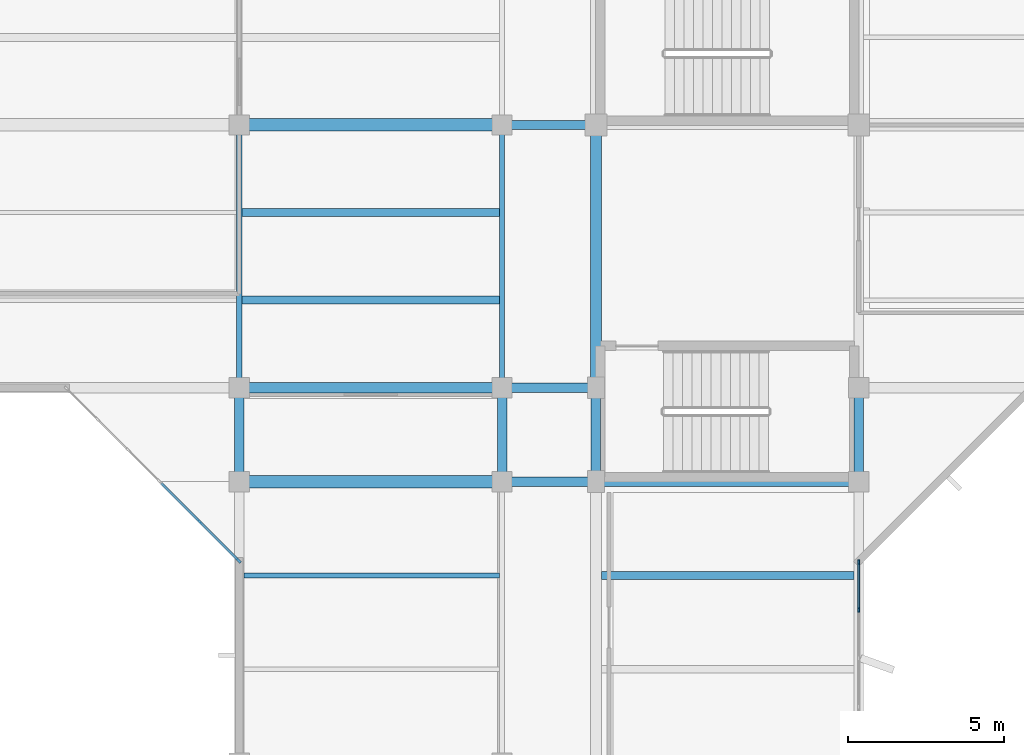
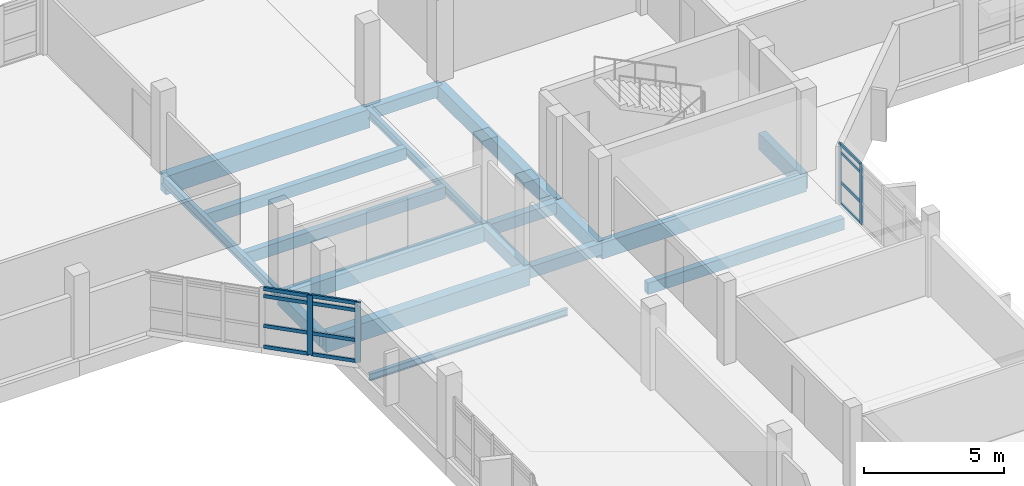
# One storey, part 37 of 104: 18 beams, 16 members, 2 elements without a shape of their own.
"""IFC4 building model written with IfcOpenShell, lengths in metres."""

from ifc_helpers import new_model, si_unit, direction, frame, origin, origin_2d, place, context, subcontext, project, spatial, rectangle, i_section, extrude, material, material_profile, profile_set, type_object, element, aggregate, save


model = new_model("IFC4")

# Units and contexts
model_context = context("Model", 3, precision=1e-05, world=origin(), true_north=direction((0.0, 1.0)))
body_context = subcontext(model_context, "Body", "Model", "MODEL_VIEW")
ifc_project = project(units=[si_unit("LENGTHUNIT", "METRE"), si_unit("AREAUNIT", "SQUARE_METRE"), si_unit("VOLUMEUNIT", "CUBIC_METRE"), si_unit("PLANEANGLEUNIT", "RADIAN"), si_unit("MASSUNIT", "GRAM", prefix="KILO")], contexts=[model_context])

# Site, building, storey
site_placement = place(None, origin())
site = spatial("IfcSite", under=ifc_project, at=site_placement, CompositionType="ELEMENT")
building_placement = place(site_placement, origin())
building = spatial("IfcBuilding", under=site, at=building_placement, Name="Vanh Quang Courtyard School", CompositionType="ELEMENT")
storey_placement = place(building_placement, frame((0.0, 0.0, 4.199951171875)))
storey = spatial("IfcBuildingStorey", under=building, at=storey_placement, Name="L01", CompositionType="ELEMENT", Elevation=4.199951171875)

# Beams
ifc_material_1 = material(Name="Concrete C35/45", Category="concrete")
ifc_material_profile_1 = material_profile(ifc_material_1, rectangle(XDim=0.300048828125, YDim=0.5, at=origin_2d()), Name="RC-BM 300x500")
ifc_profile_set_1 = profile_set([ifc_material_profile_1], Name="Concrete C35/45")
beam_type_1 = type_object("IfcBeamType", Name="BM-RC-300x500", PredefinedType="BEAM", material=ifc_profile_set_1)
for number, where, z_axis, x_axis, name in (
    (1, (74.39990234375, 68.39990234375, -0.530029296875), (1.0, 0.0, 0.0), (0.0, 1.0, 0.0), "Beam B-08 (L01)"),
    (2, (74.39990234375, 71.39990234375, -0.530029296875), (1.0, 0.0, 0.0), (0.0, 1.0, 0.0), "Beam B-08 (L01)"),
    (3, (74.39990234375, 79.800048828125, -0.530029296875), (1.0, 0.0, 0.0), (0.0, 1.0, 0.0), "Beam B-08 (L01)"),
):
    element("IfcBeam", number, at=place(storey_placement, frame(where, z_axis=z_axis, x_axis=x_axis)), inside=storey, type_object=beam_type_1, Name=name, PredefinedType="BEAM", context=body_context, shape_type="SweptSolid", body=[
        extrude(rectangle(XDim=0.300048828125, YDim=0.5, at=origin_2d()), origin(), (0.0, 0.0, 1.0), 3.0),
    ])
ifc_material_profile_2 = material_profile(ifc_material_1, rectangle(XDim=0.300048828125, YDim=0.550048828125, at=origin_2d()), Name="RC-BM 300x550")
ifc_profile_set_2 = profile_set([ifc_material_profile_2], Name="Concrete C35/45")
beam_type_2 = type_object("IfcBeamType", Name="BM-RC-300x550", PredefinedType="BEAM", material=ifc_profile_set_2)
for number, where, z_axis, x_axis, name in (
    (4, (66.0, 68.39990234375, -0.554931640625), (0.0, 1.0, 0.0), (-1.0, 0.0, 0.0), "Beam B-07 (L01)"),
    (5, (74.39990234375, 68.39990234375, -0.554931640625), (0.0, 1.0, 0.0), (-1.0, 0.0, 0.0), "Beam B-07 (L01)"),
):
    element("IfcBeam", number, at=place(storey_placement, frame(where, z_axis=z_axis, x_axis=x_axis)), inside=storey, type_object=beam_type_2, Name=name, PredefinedType="BEAM", context=body_context, shape_type="SweptSolid", body=[
        extrude(rectangle(XDim=0.300048828125, YDim=0.550048828125, at=origin_2d()), origin(), (0.0, 0.0, 1.0), 3.0),
    ])
ifc_material_profile_3 = material_profile(ifc_material_1, rectangle(XDim=0.35009765625, YDim=0.64990234375, at=origin_2d()), Name="RC-BM 350x650")
ifc_profile_set_3 = profile_set([ifc_material_profile_3], Name="Concrete C35/45")
beam_type_3 = type_object("IfcBeamType", Name="BM-RC-350x650", PredefinedType="BEAM", material=ifc_profile_set_3)
beam_1_placement = place(storey_placement, frame((66.0, 71.39990234375, -0.60498046875), z_axis=(1.0, 0.0, 0.0), x_axis=(0.0, 1.0, 0.0)))
element("IfcBeam", 6, at=beam_1_placement, inside=storey, type_object=beam_type_3, Name="Beam B-05 (L01)", PredefinedType="BEAM", context=body_context, shape_type="SweptSolid", body=[
    extrude(rectangle(XDim=0.35009765625, YDim=0.64990234375, at=origin_2d()), origin(), (0.0, 0.0, 1.0), 8.39990234375),
])
beam_2_placement = place(storey_placement, frame((77.39990234375, 71.39990234375, -0.60498046875), z_axis=(0.0, 1.0, 0.0), x_axis=(-1.0, 0.0, 0.0)))
element("IfcBeam", 7, at=beam_2_placement, inside=storey, type_object=beam_type_3, Name="Beam B-05 (L01)", PredefinedType="BEAM", context=body_context, shape_type="SweptSolid", body=[
    extrude(rectangle(XDim=0.35009765625, YDim=0.64990234375, at=origin_2d()), origin(), (0.0, 0.0, 1.0), 8.400146484375),
])
ifc_material_profile_4 = material_profile(ifc_material_1, rectangle(XDim=0.39990234375, YDim=0.75, at=origin_2d()), Name="RC-BM 400x750")
ifc_profile_set_4 = profile_set([ifc_material_profile_4], Name="Concrete C35/45")
beam_type_4 = type_object("IfcBeamType", Name="BM-RC-400x750", PredefinedType="BEAM", material=ifc_profile_set_4)
beam_3_placement = place(storey_placement, frame((66.0, 68.39990234375, -0.655029296875), z_axis=(1.0, 0.0, 0.0), x_axis=(0.0, 1.0, 0.0)))
element("IfcBeam", 8, at=beam_3_placement, inside=storey, type_object=beam_type_4, Name="Beam B-03 (L01)", PredefinedType="BEAM", context=body_context, shape_type="SweptSolid", body=[
    extrude(rectangle(XDim=0.39990234375, YDim=0.75, at=origin_2d()), origin(), (0.0, 0.0, 1.0), 8.39990234375),
])
ifc_material_profile_5 = material_profile(ifc_material_1, rectangle(XDim=0.39990234375, YDim=0.800048828125, at=origin_2d()), Name="RC-BM 400x800")
ifc_profile_set_5 = profile_set([ifc_material_profile_5], Name="Concrete C35/45")
beam_type_5 = type_object("IfcBeamType", Name="BM-RC-400x800", PredefinedType="BEAM", material=ifc_profile_set_5)
beam_4_placement = place(storey_placement, frame((66.0, 79.800048828125, -0.679931640625), z_axis=(1.0, 0.0, 0.0), x_axis=(0.0, 1.0, 0.0)))
element("IfcBeam", 9, at=beam_4_placement, inside=storey, type_object=beam_type_5, Name="Beam B-02 (L01)", PredefinedType="BEAM", context=body_context, shape_type="SweptSolid", body=[
    extrude(rectangle(XDim=0.39990234375, YDim=0.800048828125, at=origin_2d()), origin(), (0.0, 0.0, 1.0), 8.39990234375),
])
ifc_material_profile_6 = material_profile(ifc_material_1, rectangle(XDim=0.300048828125, YDim=0.699951171875, at=origin_2d()), Name="RC-SP 300x700")
ifc_profile_set_6 = profile_set([ifc_material_profile_6], Name="Concrete C35/45")
beam_type_6 = type_object("IfcBeamType", Name="BM-SP-300x700", PredefinedType="SPANDREL", material=ifc_profile_set_6)
beam_5_placement = place(storey_placement, frame((77.39990234375, 68.39990234375, -0.6298828125), z_axis=(1.0, 0.0, 0.0), x_axis=(0.0, 1.0, 0.0)))
element("IfcBeam", 10, at=beam_5_placement, inside=storey, type_object=beam_type_6, Name="Beam BS-01 (L01)", PredefinedType="SPANDREL", context=body_context, shape_type="SweptSolid", body=[
    extrude(rectangle(XDim=0.300048828125, YDim=0.699951171875, at=origin_2d()), origin(), (0.0, 0.0, 1.0), 8.400146484375),
])
for number, where, z_axis, x_axis, name in (
    (11, (77.39990234375, 68.39990234375, -0.6298828125), (0.0, 1.0, 0.0), (-1.0, 0.0, 0.0), "Beam BS-01 (L01)"),
    (12, (85.800048828125, 68.39990234375, -0.6298828125), (0.0, 1.0, 0.0), (-1.0, 0.0, 0.0), "Beam BS-01 (L01)"),
):
    element("IfcBeam", number, at=place(storey_placement, frame(where, z_axis=z_axis, x_axis=x_axis)), inside=storey, type_object=beam_type_6, Name=name, PredefinedType="SPANDREL", context=body_context, shape_type="SweptSolid", body=[
        extrude(rectangle(XDim=0.300048828125, YDim=0.699951171875, at=origin_2d()), origin(), (0.0, 0.0, 1.0), 3.0),
    ])
ifc_material_2 = material(Name="Structural steel EN 10025-2 S355J2", Category="steel")
ifc_material_profile_7 = material_profile(ifc_material_2, i_section(OverallWidth=0.169921875, OverallDepth=0.360107421875, WebThickness=0.008056640625, FlangeThickness=0.0126953125, FilletRadius=0.01806640625, at=origin_2d()), Name="IPE 360")
ifc_profile_set_7 = profile_set([ifc_material_profile_7], Name="Structural steel EN 10025-2 S355J2")
beam_type_7 = type_object("IfcBeamType", Name="BM-STL-IPE360", PredefinedType="BEAM", material=ifc_profile_set_7)
beam_6_placement = place(storey_placement, frame((74.39990234375, 71.39990234375, -0.4599609375), z_axis=(0.0, 1.0, 0.0), x_axis=(-1.0, 0.0, 0.0)))
element("IfcBeam", 13, at=beam_6_placement, inside=storey, type_object=beam_type_7, Name="Beam SB-06 (L01)", PredefinedType="BEAM", context=body_context, shape_type="SweptSolid", body=[
    extrude(i_section(OverallWidth=0.169921875, OverallDepth=0.360107421875, WebThickness=0.008056640625, FlangeThickness=0.0126953125, FilletRadius=0.01806640625, at=origin_2d()), origin(), (0.0, 0.0, 1.0), 8.400146484375),
])
ifc_material_profile_8 = material_profile(ifc_material_2, i_section(OverallWidth=0.179931640625, OverallDepth=0.39990234375, WebThickness=0.008544921875, FlangeThickness=0.013427734375, FilletRadius=0.02099609375, at=origin_2d()), Name="IPE 400")
ifc_profile_set_8 = profile_set([ifc_material_profile_8], Name="Structural steel EN 10025-2 S355J2")
beam_type_8 = type_object("IfcBeamType", Name="BM-STL-IPE400", PredefinedType="BEAM", material=ifc_profile_set_8)
beam_7_placement = place(storey_placement, frame((66.0, 71.39990234375, -0.47998046875), z_axis=(0.0, 1.0, 0.0), x_axis=(-1.0, 0.0, 0.0)))
element("IfcBeam", 14, at=beam_7_placement, inside=storey, type_object=beam_type_8, Name="Beam SB-05 (L01)", PredefinedType="BEAM", context=body_context, shape_type="SweptSolid", body=[
    extrude(i_section(OverallWidth=0.179931640625, OverallDepth=0.39990234375, WebThickness=0.008544921875, FlangeThickness=0.013427734375, FilletRadius=0.02099609375, at=origin_2d()), origin(), (0.0, 0.0, 1.0), 8.400146484375),
])

# Curtain wall, members
ifc_material_3 = material(Name="Thermally broken aluminium unitised curtain wall", Category="aluminium")
curtain_wall_type_1 = type_object("IfcCurtainWallType", Name="CW-SYS-44", PredefinedType="NOTDEFINED", material=ifc_material_3)
curtain_wall_1_placement = place(storey_placement, origin())
curtain_wall_1 = element("IfcCurtainWall", 15, at=curtain_wall_1_placement, inside=storey, type_object=curtain_wall_type_1, Name="Curtain Wall CW-44 (L01)", PredefinedType="NOTDEFINED")
ifc_material_4 = material(Name="Anodised aluminium 6063-T6", Category="aluminium")
ifc_material_profile_9 = material_profile(ifc_material_4, rectangle(XDim=0.06005859375, YDim=0.159912109375, at=origin_2d()), Name="ALU-MUL 60x160")
ifc_profile_set_9 = profile_set([ifc_material_profile_9], Name="Anodised aluminium 6063-T6")
member_type_1 = type_object("IfcMemberType", Name="CW-MUL-60x160", PredefinedType="MULLION", material=ifc_profile_set_9)
member_1_placement = place(storey_placement, frame((85.800048828125, 65.825927734375, 0.0), z_axis=(0.0, 0.0, 1.0), x_axis=(1.0, 0.0, 0.0)))
member_1 = element("IfcMember", 16, at=member_1_placement, type_object=member_type_1, Name="CW-44 mullion 1", PredefinedType="MULLION", context=body_context, shape_type="SweptSolid", body=[
    extrude(rectangle(XDim=0.06005859375, YDim=0.159912109375, at=origin_2d()), origin(), (0.0, 0.0, 1.0), 2.6201171875),
])
member_2_placement = place(storey_placement, frame((85.800048828125, 64.306396484375, 0.0), z_axis=(0.0, 0.0, 1.0), x_axis=(1.0, 0.0, 0.0)))
member_2 = element("IfcMember", 17, at=member_2_placement, type_object=member_type_1, Name="CW-44 mullion 2", PredefinedType="MULLION", context=body_context, shape_type="SweptSolid", body=[
    extrude(rectangle(XDim=0.06005859375, YDim=0.159912109375, at=origin_2d()), origin(), (0.0, 0.0, 1.0), 2.6201171875),
])

curtain_wall_type_2 = type_object("IfcCurtainWallType", Name="CW-SYS-41", PredefinedType="NOTDEFINED", material=ifc_material_3)
curtain_wall_2_placement = place(storey_placement, origin())
curtain_wall_2 = element("IfcCurtainWall", 18, at=curtain_wall_2_placement, inside=storey, type_object=curtain_wall_type_2, Name="Curtain Wall CW-41 (L01)", PredefinedType="NOTDEFINED")
ifc_material_profile_10 = material_profile(ifc_material_4, rectangle(XDim=0.080078125, YDim=0.199951171875, at=origin_2d()), Name="ALU-MUL 80x200")
ifc_profile_set_10 = profile_set([ifc_material_profile_10], Name="Anodised aluminium 6063-T6")
member_type_2 = type_object("IfcMemberType", Name="CW-MUL-80x200", PredefinedType="MULLION", material=ifc_profile_set_10)
member_3_placement = place(storey_placement, frame((65.9716796875, 65.88427734375, 0.0), z_axis=(0.0, 0.0, 1.0), x_axis=(-0.707106781187, -0.707106781187, 0.0)))
member_3 = element("IfcMember", 19, at=member_3_placement, type_object=member_type_2, Name="CW-41 mullion 1", PredefinedType="MULLION", context=body_context, shape_type="SweptSolid", body=[
    extrude(rectangle(XDim=0.080078125, YDim=0.199951171875, at=origin_2d()), origin(), (0.0, 0.0, 1.0), 2.60009765625),
])
member_4_placement = place(storey_placement, frame((64.72802734375, 67.1279296875, 0.0), z_axis=(0.0, 0.0, 1.0), x_axis=(-0.707106781187, -0.707106781187, 0.0)))
member_4 = element("IfcMember", 20, at=member_4_placement, type_object=member_type_2, Name="CW-41 mullion 2", PredefinedType="MULLION", context=body_context, shape_type="SweptSolid", body=[
    extrude(rectangle(XDim=0.080078125, YDim=0.199951171875, at=origin_2d()), origin(), (0.0, 0.0, 1.0), 2.60009765625),
])

# Member
ifc_material_profile_11 = material_profile(ifc_material_4, rectangle(XDim=0.06005859375, YDim=0.1201171875, at=origin_2d()), Name="ALU-TRN 60x120")
ifc_profile_set_11 = profile_set([ifc_material_profile_11], Name="Anodised aluminium 6063-T6")
member_type_3 = type_object("IfcMemberType", Name="CW-TRN-60x120", PredefinedType="USERDEFINED", material=ifc_profile_set_11)
member_5_placement = place(storey_placement, frame((85.800048828125, 65.7958984375, 0.030029296875), z_axis=(0.0, -1.0, 0.0), x_axis=(1.0, 0.0, 0.0)))
member_5 = element("IfcMember", 21, at=member_5_placement, type_object=member_type_3, Name="CW-44 transom 1.1", ObjectType="TRANSOM", PredefinedType="USERDEFINED", context=body_context, shape_type="SweptSolid", body=[
    extrude(rectangle(XDim=0.06005859375, YDim=0.1201171875, at=origin_2d()), origin(), (0.0, 0.0, 1.0), 1.45947265625),
])

member_6_placement = place(storey_placement, frame((85.800048828125, 65.7958984375, 0.949951171875), z_axis=(0.0, -1.0, 0.0), x_axis=(1.0, 0.0, 0.0)))
member_6 = element("IfcMember", 22, at=member_6_placement, type_object=member_type_3, Name="CW-44 transom 1.2", ObjectType="TRANSOM", PredefinedType="USERDEFINED", context=body_context, shape_type="SweptSolid", body=[
    extrude(rectangle(XDim=0.06005859375, YDim=0.1201171875, at=origin_2d()), origin(), (0.0, 0.0, 1.0), 1.45947265625),
])

member_7_placement = place(storey_placement, frame((85.800048828125, 65.7958984375, 2.25), z_axis=(0.0, -1.0, 0.0), x_axis=(1.0, 0.0, 0.0)))
member_7 = element("IfcMember", 23, at=member_7_placement, type_object=member_type_3, Name="CW-44 transom 1.3", ObjectType="TRANSOM", PredefinedType="USERDEFINED", context=body_context, shape_type="SweptSolid", body=[
    extrude(rectangle(XDim=0.06005859375, YDim=0.1201171875, at=origin_2d()), origin(), (0.0, 0.0, 1.0), 1.45947265625),
])

member_8_placement = place(storey_placement, frame((85.800048828125, 65.7958984375, 2.590087890625), z_axis=(0.0, -1.0, 0.0), x_axis=(1.0, 0.0, 0.0)))
member_8 = element("IfcMember", 24, at=member_8_placement, type_object=member_type_3, Name="CW-44 transom 1.4", ObjectType="TRANSOM", PredefinedType="USERDEFINED", context=body_context, shape_type="SweptSolid", body=[
    extrude(rectangle(XDim=0.06005859375, YDim=0.1201171875, at=origin_2d()), origin(), (0.0, 0.0, 1.0), 1.45947265625),
])

aggregate(curtain_wall_1, [member_1, member_2, member_5, member_6, member_7, member_8])

ifc_material_profile_12 = material_profile(ifc_material_4, rectangle(XDim=0.080078125, YDim=0.14990234375, at=origin_2d()), Name="ALU-TRN 80x150")
ifc_profile_set_12 = profile_set([ifc_material_profile_12], Name="Anodised aluminium 6063-T6")
member_type_4 = type_object("IfcMemberType", Name="CW-TRN-80x150", PredefinedType="USERDEFINED", material=ifc_profile_set_12)
member_9_placement = place(storey_placement, frame((65.943359375, 65.91259765625, 0.0400390625), z_axis=(-0.707106781187, 0.707106781187, 0.0), x_axis=(-0.707106781187, -0.707106781187, 0.0)))
member_9 = element("IfcMember", 25, at=member_9_placement, type_object=member_type_4, Name="CW-41 transom 1.1", ObjectType="TRANSOM", PredefinedType="USERDEFINED", context=body_context, shape_type="SweptSolid", body=[
    extrude(rectangle(XDim=0.080078125, YDim=0.14990234375, at=origin_2d()), origin(), (0.0, 0.0, 1.0), 1.6787109375),
])

member_10_placement = place(storey_placement, frame((65.943359375, 65.91259765625, 0.949951171875), z_axis=(-0.707106781187, 0.707106781187, 0.0), x_axis=(-0.707106781187, -0.707106781187, 0.0)))
member_10 = element("IfcMember", 26, at=member_10_placement, type_object=member_type_4, Name="CW-41 transom 1.2", ObjectType="TRANSOM", PredefinedType="USERDEFINED", context=body_context, shape_type="SweptSolid", body=[
    extrude(rectangle(XDim=0.080078125, YDim=0.14990234375, at=origin_2d()), origin(), (0.0, 0.0, 1.0), 1.6787109375),
])

member_11_placement = place(storey_placement, frame((65.943359375, 65.91259765625, 2.25), z_axis=(-0.707106781187, 0.707106781187, 0.0), x_axis=(-0.707106781187, -0.707106781187, 0.0)))
member_11 = element("IfcMember", 27, at=member_11_placement, type_object=member_type_4, Name="CW-41 transom 1.3", ObjectType="TRANSOM", PredefinedType="USERDEFINED", context=body_context, shape_type="SweptSolid", body=[
    extrude(rectangle(XDim=0.080078125, YDim=0.14990234375, at=origin_2d()), origin(), (0.0, 0.0, 1.0), 1.6787109375),
])

member_12_placement = place(storey_placement, frame((65.943359375, 65.91259765625, 2.56005859375), z_axis=(-0.707106781187, 0.707106781187, 0.0), x_axis=(-0.707106781187, -0.707106781187, 0.0)))
member_12 = element("IfcMember", 28, at=member_12_placement, type_object=member_type_4, Name="CW-41 transom 1.4", ObjectType="TRANSOM", PredefinedType="USERDEFINED", context=body_context, shape_type="SweptSolid", body=[
    extrude(rectangle(XDim=0.080078125, YDim=0.14990234375, at=origin_2d()), origin(), (0.0, 0.0, 1.0), 1.6787109375),
])

member_13_placement = place(storey_placement, frame((64.69970703125, 67.15625, 0.0400390625), z_axis=(-0.707106781187, 0.707106781187, 0.0), x_axis=(-0.707106781187, -0.707106781187, 0.0)))
member_13 = element("IfcMember", 29, at=member_13_placement, type_object=member_type_4, Name="CW-41 transom 2.1", ObjectType="TRANSOM", PredefinedType="USERDEFINED", context=body_context, shape_type="SweptSolid", body=[
    extrude(rectangle(XDim=0.080078125, YDim=0.14990234375, at=origin_2d()), origin(), (0.0, 0.0, 1.0), 1.678955078125),
])

member_14_placement = place(storey_placement, frame((64.69970703125, 67.15625, 0.949951171875), z_axis=(-0.707106781187, 0.707106781187, 0.0), x_axis=(-0.707106781187, -0.707106781187, 0.0)))
member_14 = element("IfcMember", 30, at=member_14_placement, type_object=member_type_4, Name="CW-41 transom 2.2", ObjectType="TRANSOM", PredefinedType="USERDEFINED", context=body_context, shape_type="SweptSolid", body=[
    extrude(rectangle(XDim=0.080078125, YDim=0.14990234375, at=origin_2d()), origin(), (0.0, 0.0, 1.0), 1.678955078125),
])

member_15_placement = place(storey_placement, frame((64.69970703125, 67.15625, 2.25), z_axis=(-0.707106781187, 0.707106781187, 0.0), x_axis=(-0.707106781187, -0.707106781187, 0.0)))
member_15 = element("IfcMember", 31, at=member_15_placement, type_object=member_type_4, Name="CW-41 transom 2.3", ObjectType="TRANSOM", PredefinedType="USERDEFINED", context=body_context, shape_type="SweptSolid", body=[
    extrude(rectangle(XDim=0.080078125, YDim=0.14990234375, at=origin_2d()), origin(), (0.0, 0.0, 1.0), 1.678955078125),
])

member_16_placement = place(storey_placement, frame((64.69970703125, 67.15625, 2.56005859375), z_axis=(-0.707106781187, 0.707106781187, 0.0), x_axis=(-0.707106781187, -0.707106781187, 0.0)))
member_16 = element("IfcMember", 32, at=member_16_placement, type_object=member_type_4, Name="CW-41 transom 2.4", ObjectType="TRANSOM", PredefinedType="USERDEFINED", context=body_context, shape_type="SweptSolid", body=[
    extrude(rectangle(XDim=0.080078125, YDim=0.14990234375, at=origin_2d()), origin(), (0.0, 0.0, 1.0), 1.678955078125),
])

aggregate(curtain_wall_2, [member_3, member_4, member_9, member_10, member_11, member_12, member_13, member_14, member_15, member_16])

# Beams
ifc_material_5 = material(Name="Concrete C30/37", Category="concrete")
ifc_material_profile_13 = material_profile(ifc_material_5, rectangle(XDim=0.25, YDim=0.5, at=origin_2d()), Name="RC-JST 250x500")
ifc_profile_set_13 = profile_set([ifc_material_profile_13], Name="Concrete C30/37")
beam_type_9 = type_object("IfcBeamType", Name="JST-RC-250x500", PredefinedType="JOIST", material=ifc_profile_set_13)
for number, where, z_axis, x_axis, name in (
    (33, (66.090087890625, 74.199951171875, -0.530029296875), (1.0, 0.0, 0.0), (0.0, 1.0, 0.0), "Beam BJ-01 (L01)"),
    (34, (66.090087890625, 77.0, -0.530029296875), (1.0, 0.0, 0.0), (0.0, 1.0, 0.0), "Beam BJ-01 (L01)"),
):
    element("IfcBeam", number, at=place(storey_placement, frame(where, z_axis=z_axis, x_axis=x_axis)), inside=storey, type_object=beam_type_9, Name=name, PredefinedType="JOIST", context=body_context, shape_type="SweptSolid", body=[
        extrude(rectangle(XDim=0.25, YDim=0.5, at=origin_2d()), origin(), (0.0, 0.0, 1.0), 8.224853515625),
    ])
beam_8_placement = place(storey_placement, frame((77.574951171875, 65.39990234375, -0.530029296875), z_axis=(1.0, 0.0, 0.0), x_axis=(0.0, 1.0, 0.0)))
element("IfcBeam", 35, at=beam_8_placement, inside=storey, type_object=beam_type_9, Name="Beam BJ-01 (L01)", PredefinedType="JOIST", context=body_context, shape_type="SweptSolid", body=[
    extrude(rectangle(XDim=0.25, YDim=0.5, at=origin_2d()), origin(), (0.0, 0.0, 1.0), 8.074951171875),
])
ifc_material_profile_14 = material_profile(ifc_material_2, i_section(OverallWidth=0.14990234375, OverallDepth=0.300048828125, WebThickness=0.007080078125, FlangeThickness=0.0107421875, FilletRadius=0.014892578125, at=origin_2d()), Name="IPE 300")
ifc_profile_set_14 = profile_set([ifc_material_profile_14], Name="Structural steel EN 10025-2 S355J2")
beam_type_10 = type_object("IfcBeamType", Name="JST-STL-IPE300", PredefinedType="JOIST", material=ifc_profile_set_14)
beam_9_placement = place(storey_placement, frame((66.14990234375, 65.39990234375, -0.429931640625), z_axis=(1.0, 0.0, 0.0), x_axis=(0.0, 1.0, 0.0)))
element("IfcBeam", 36, at=beam_9_placement, inside=storey, type_object=beam_type_10, Name="Beam SJ-02 (L01)", PredefinedType="JOIST", context=body_context, shape_type="SweptSolid", body=[
    extrude(i_section(OverallWidth=0.14990234375, OverallDepth=0.300048828125, WebThickness=0.007080078125, FlangeThickness=0.0107421875, FilletRadius=0.014892578125, at=origin_2d()), origin(), (0.0, 0.0, 1.0), 8.1650390625),
])

save(model, "model.ifc")
